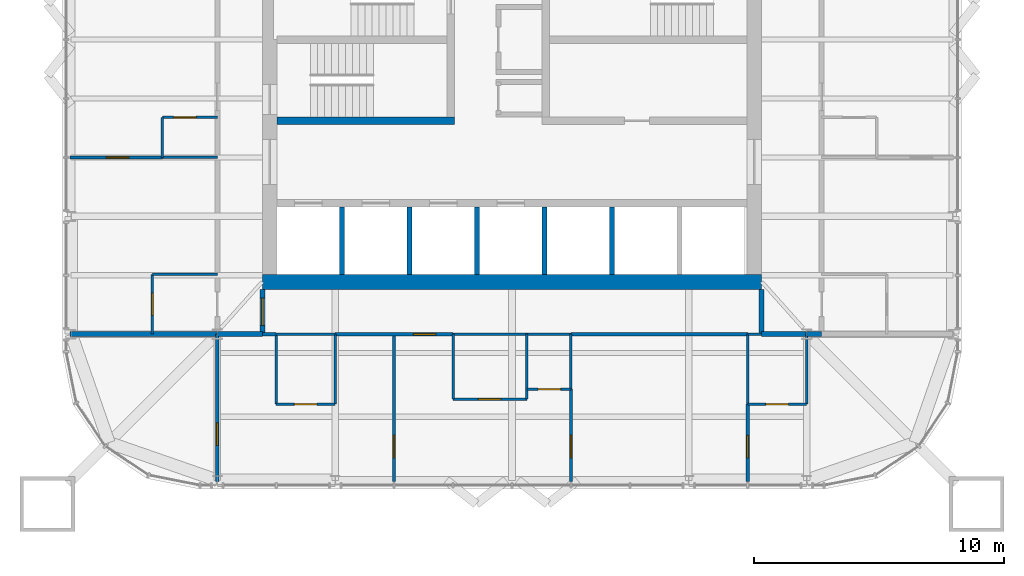
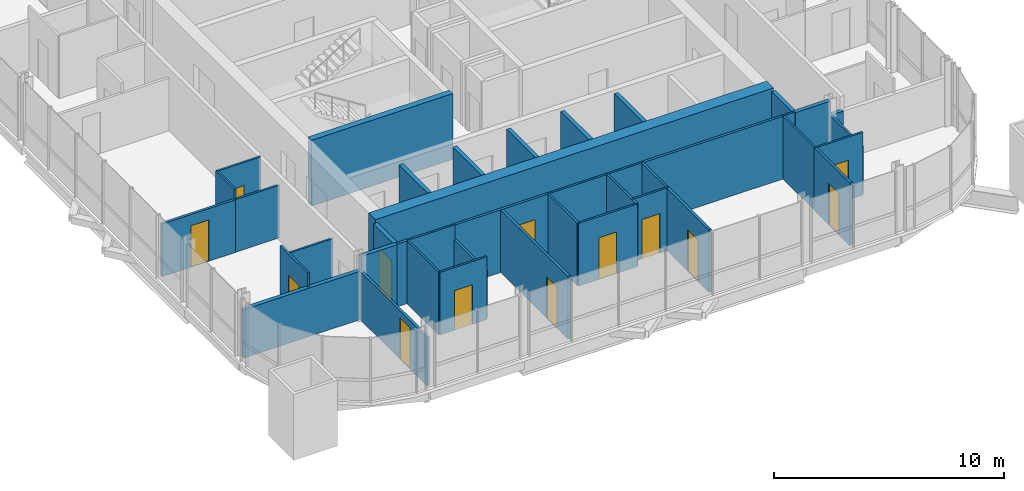
# One storey, part 13 of 17: 40 walls, 13 doors, 13 openings.
"""IFC4 building model written with IfcOpenShell, lengths in metres."""

import ifcopenshell
import ifcopenshell.guid

model = None  # the IFC model being written
_history = None  # IfcOwnerHistory: only IFC2X3 demands one
_inside = {}  # id of a spatial element -> (the spatial element, [elements in it])
_under = {}  # id of a project, library or spatial element -> (it, [spatial elements below it])
_declared = {}  # id of a project -> (the project, [libraries it declares])
_typed = {}  # id of a type object -> (the type object, [elements of that type])
_made_of = {}  # id of a material, layer set ... -> (it, [elements and type objects made of it])


def new_model(schema):
    """Start an empty IFC model of exactly this schema.

    Asked for "IFC4X3", IfcOpenShell would pick the latest addendum, in which some entities
    have other attributes; the version numbers below select the first issue.
    IFC2X3 requires an IfcOwnerHistory on every rooted entity: one is made here for all.
    """
    global model, _history
    if schema == "IFC4X3":
        model = ifcopenshell.file(schema_version=(4, 3, 0, 0))
    else:
        model = ifcopenshell.file(schema=schema)
    _inside.clear()
    _under.clear()
    _declared.clear()
    _typed.clear()
    _made_of.clear()
    _history = None
    if model.schema == "IFC2X3":
        org = make("IfcOrganization", Name="unknown")
        user = make(
            "IfcPersonAndOrganization",
            ThePerson=make("IfcPerson", FamilyName="unknown"),
            TheOrganization=org,
        )
        app = make(
            "IfcApplication",
            ApplicationDeveloper=org,
            Version="unknown",
            ApplicationFullName="unknown",
            ApplicationIdentifier="unknown",
        )
        _history = make(
            "IfcOwnerHistory",
            OwningUser=user,
            OwningApplication=app,
            ChangeAction="ADDED",
            CreationDate=0,
        )
    return model


def make(cls, **values):
    """One entity of the class cls with the attributes given. An attribute that is None is left unset."""
    return model.create_entity(
        cls, **{name: value for name, value in values.items() if value is not None}
    )


def rooted(cls, **values):
    """An entity with a GlobalId (a new one), such as an element, a storey or a relation."""
    return make(cls, GlobalId=ifcopenshell.guid.new(), OwnerHistory=_history, **values)


def si_unit(unit_type, name, prefix=None):
    """IfcSIUnit, for example si_unit("LENGTHUNIT", "METRE", prefix="MILLI")."""
    return make("IfcSIUnit", UnitType=unit_type, Prefix=prefix, Name=name)


def assignment(units):
    """IfcUnitAssignment: the units of a project."""
    return None if units is None else make("IfcUnitAssignment", Units=units)


def point(xyz):
    """IfcCartesianPoint."""
    return None if xyz is None else make("IfcCartesianPoint", Coordinates=xyz)


def direction(xyz):
    """IfcDirection."""
    return None if xyz is None else make("IfcDirection", DirectionRatios=xyz)


def frame(location, z_axis=None, x_axis=None):
    """IfcAxis2Placement3D, a coordinate frame: its origin and axes. An axis left out is left unset."""
    return make(
        "IfcAxis2Placement3D",
        Location=point(location),
        Axis=direction(z_axis),
        RefDirection=direction(x_axis),
    )


def frame_2d(location, x_axis=None):
    """IfcAxis2Placement2D, a coordinate frame in the plane: its origin and x axis."""
    return make(
        "IfcAxis2Placement2D", Location=point(location), RefDirection=direction(x_axis)
    )


def origin():
    """The frame at (0, 0, 0) with its axes left unset."""
    return frame((0.0, 0.0, 0.0))


def place(relative_to, where):
    """IfcLocalPlacement: puts the frame where relative to a parent placement (None: the world)."""
    return make(
        "IfcLocalPlacement", PlacementRelTo=relative_to, RelativePlacement=where
    )


def context(
    kind, dimensions, precision=None, world=None, true_north=None, identifier=None
):
    """IfcGeometricRepresentationContext, for example the 3D "Model" context."""
    return make(
        "IfcGeometricRepresentationContext",
        ContextIdentifier=identifier,
        ContextType=kind,
        CoordinateSpaceDimension=dimensions,
        Precision=precision,
        WorldCoordinateSystem=world,
        TrueNorth=true_north,
    )


def subcontext(parent, identifier, kind, view, scale=None):
    """IfcGeometricRepresentationSubContext, for example "Body" below "Model"."""
    return make(
        "IfcGeometricRepresentationSubContext",
        ContextIdentifier=identifier,
        ContextType=kind,
        ParentContext=parent,
        TargetScale=scale,
        TargetView=view,
    )


def project(units=None, contexts=None):
    """IfcProject with its units and contexts."""
    return rooted(
        "IfcProject",
        Name="project",
        RepresentationContexts=contexts,
        UnitsInContext=assignment(units),
    )


def spatial(cls, under=None, at=None, **own):
    """A site, building, storey or space (cls), placed at a placement, below another one or the project."""
    s = rooted(cls, ObjectPlacement=at, **own)
    if under is not None:
        _under.setdefault(under.id(), (under, []))[1].append(s)
    return s


def profile(cls, at=None, kind="AREA", **sizes):
    """A parametric profile (cls). Its sizes go by their IFC names, for example OverallWidth=200.0."""
    return make(cls, ProfileType=kind, Position=at, **sizes)


def rectangle(**sizes):
    """IfcRectangleProfileDef."""
    return profile("IfcRectangleProfileDef", **sizes)


def extrude(swept, where, along, depth):
    """IfcExtrudedAreaSolid: the profile swept, set in the frame where, extruded along a direction by depth."""
    return make(
        "IfcExtrudedAreaSolid",
        SweptArea=swept,
        Position=where,
        ExtrudedDirection=direction(along),
        Depth=depth,
    )


def shape(context_of_items, identifier, shape_type, items):
    """IfcShapeRepresentation: the items that make up one representation, for example the "Body"."""
    return make(
        "IfcShapeRepresentation",
        ContextOfItems=context_of_items,
        RepresentationIdentifier=identifier,
        RepresentationType=shape_type,
        Items=items,
    )


def material(Name=None, Category=None):
    """IfcMaterial."""
    return make("IfcMaterial", Name=Name, Category=Category)


def layer(
    of_material, thickness, ventilated=None, Name=None, Category=None, Priority=None
):
    """IfcMaterialLayer: one layer of a wall or slab, of a material (None: an air gap)."""
    return make(
        "IfcMaterialLayer",
        Material=of_material,
        LayerThickness=thickness,
        IsVentilated=ventilated,
        Name=Name,
        Category=Category,
        Priority=Priority,
    )


def layer_set(layers, Name=None):
    """IfcMaterialLayerSet."""
    return make("IfcMaterialLayerSet", MaterialLayers=layers, LayerSetName=Name)


def made_of(thing, what):
    """Note that an element or type object is made of a material, layer set ...; save() writes the relation."""
    if what is not None:
        _made_of.setdefault(what.id(), (what, []))[1].append(thing)
    return thing


def type_object(cls, material=None, **own):
    """A type object (cls), such as IfcWallType, which elements share."""
    return made_of(rooted(cls, **own), material)


def element(
    cls,
    number,
    at=None,
    inside=None,
    cuts=None,
    type_object=None,
    material=None,
    context=None,
    identifier="Body",
    shape_type=None,
    held_by="IfcProductDefinitionShape",
    body=None,
    shapes=None,
    **own,
):
    """One element of the class cls, such as IfcWall. Its Tag is "e" and its number.

    at: its placement. inside: the storey or other place that contains it. cuts: it is an
    opening in that element (IfcRelVoidsElement). A single representation is given by context,
    identifier, shape_type and body (its items); several are given by shapes. held_by: the class
    of the entity that holds the representations. save() writes the other relations.
    """
    e = rooted(cls, Tag="e%d" % number, ObjectPlacement=at, **own)
    if body is not None:
        shapes = [shape(context, identifier, shape_type, body)]
    if shapes is not None:
        e.Representation = make(held_by, Representations=shapes)
    if inside is not None:
        _inside.setdefault(inside.id(), (inside, []))[1].append(e)
    if cuts is not None:
        rooted(
            "IfcRelVoidsElement", RelatingBuildingElement=cuts, RelatedOpeningElement=e
        )
    if type_object is not None:
        _typed.setdefault(type_object.id(), (type_object, []))[1].append(e)
    return made_of(e, material)


def fill(opening, filler):
    """IfcRelFillsElement: the door or window that sits in an opening."""
    return rooted(
        "IfcRelFillsElement",
        RelatingOpeningElement=opening,
        RelatedBuildingElement=filler,
    )


def aggregate(whole, parts):
    """IfcRelAggregates: a whole, such as a stair, and the parts it consists of."""
    return rooted("IfcRelAggregates", RelatingObject=whole, RelatedObjects=parts)


def save(model, path):
    """Write the relations noted so far, then the file.

    IfcRelAggregates (storeys below a building ...), IfcRelContainedInSpatialStructure (elements
    in a storey), IfcRelDefinesByType, IfcRelAssociatesMaterial and IfcRelDeclares: one each for
    every whole, place, type object, material and project.
    """
    for whole, parts in _under.values():
        aggregate(whole, parts)
    for where, things in _inside.values():
        rooted(
            "IfcRelContainedInSpatialStructure",
            RelatedElements=things,
            RelatingStructure=where,
        )
    for kind, things in _typed.values():
        rooted("IfcRelDefinesByType", RelatedObjects=things, RelatingType=kind)
    for what, things in _made_of.values():
        rooted("IfcRelAssociatesMaterial", RelatedObjects=things, RelatingMaterial=what)
    for by, libraries in _declared.values():
        rooted("IfcRelDeclares", RelatingContext=by, RelatedDefinitions=libraries)
    model.write(path)


model = new_model("IFC4")

# Units and contexts
model_context = context("Model", 3, precision=1e-05, world=origin(), true_north=direction((0.0, 1.0)))
body_context = subcontext(model_context, "Body", "Model", "MODEL_VIEW")
ifc_project = project(units=[si_unit("LENGTHUNIT", "METRE"), si_unit("AREAUNIT", "SQUARE_METRE"), si_unit("VOLUMEUNIT", "CUBIC_METRE"), si_unit("PLANEANGLEUNIT", "RADIAN"), si_unit("MASSUNIT", "GRAM", prefix="KILO")], contexts=[model_context])

# Site, building, storey
site_placement = place(None, origin())
site = spatial("IfcSite", under=ifc_project, at=site_placement, CompositionType="ELEMENT")
building_placement = place(site_placement, origin())
building = spatial("IfcBuilding", under=site, at=building_placement, Name="Turquesa Mirador Hotel Tower", CompositionType="ELEMENT")
storey_placement = place(building_placement, frame((0.0, 0.0, 247.699951171875)))
storey = spatial("IfcBuildingStorey", under=building, at=storey_placement, Name="L67", CompositionType="ELEMENT", Elevation=247.699951171875)

# Walls
ifc_material_1 = material(Name="Gypsum board on steel studs", Category="steel")
ifc_layer_1 = layer(ifc_material_1, 0.10009765625)
ifc_layer_set_1 = layer_set([ifc_layer_1], Name="BATHROOM WALL 100")
wall_type_1 = type_object("IfcWallType", Name="BATHROOM WALL 100", PredefinedType="PARTITIONING", material=ifc_layer_set_1)
wall_1_placement = place(storey_placement, frame((45.56005859375, 33.199951171875, 0.0), z_axis=(0.0, 0.0, 1.0), x_axis=(1.0, 0.0, 0.0)))
element("IfcWall", 1, at=wall_1_placement, inside=storey, type_object=wall_type_1, Name="Partition L67 001", PredefinedType="PARTITIONING", context=body_context, shape_type="SweptSolid", body=[
    extrude(rectangle(XDim=2.35986328125, YDim=0.10009765625, at=frame_2d((1.179931640625, 0.0))), origin(), (0.0, 0.0, 1.0), 3.330078125),
])
wall_2_placement = place(storey_placement, frame((52.639892578125, 33.199951171875, 0.0), z_axis=(0.0, 0.0, 1.0), x_axis=(1.0, 0.0, 0.0)))
element("IfcWall", 2, at=wall_2_placement, inside=storey, type_object=wall_type_1, Name="Partition L67 002", PredefinedType="PARTITIONING", context=body_context, shape_type="SweptSolid", body=[
    extrude(rectangle(XDim=4.72021484375, YDim=0.10009765625, at=frame_2d((2.360107421875, 0.0))), origin(), (0.0, 0.0, 1.0), 3.330078125),
])
wall_3_placement = place(storey_placement, frame((64.43994140625, 33.199951171875, 0.0), z_axis=(0.0, 0.0, 1.0), x_axis=(1.0, 0.0, 0.0)))
element("IfcWall", 3, at=wall_3_placement, inside=storey, type_object=wall_type_1, Name="Partition L67 003", PredefinedType="PARTITIONING", context=body_context, shape_type="SweptSolid", body=[
    extrude(rectangle(XDim=0.56005859375, YDim=0.10009765625, at=frame_2d((0.280029296875, 0.0))), origin(), (0.0, 0.0, 1.0), 3.330078125),
])

# Wall, opening, door
wall_4_placement = place(storey_placement, frame((55.60009765625, 31.0, 0.0), z_axis=(0.0, 0.0, 1.0), x_axis=(1.0, 0.0, 0.0)))
wall_4 = element("IfcWall", 4, at=wall_4_placement, inside=storey, type_object=wall_type_1, Name="Partition L67 011", PredefinedType="PARTITIONING", context=body_context, shape_type="SweptSolid", body=[
    extrude(rectangle(XDim=1.760009765625, YDim=0.10009765625, at=frame_2d((0.8798828125, 0.0))), origin(), (0.0, 0.0, 1.0), 3.330078125),
])
opening_1_placement = place(wall_4_placement, frame((0.449951171875, 0.0, 0.0)))
opening_1 = element("IfcOpeningElement", 5, at=opening_1_placement, cuts=wall_4, Name="Opening D06", PredefinedType="OPENING", context=body_context, shape_type="SweptSolid", body=[
    extrude(rectangle(XDim=0.89990234375, YDim=2.10009765625, at=frame_2d((0.449951171875, 1.050048828125))), frame((0.0, 0.06005859375, 0.0), z_axis=(0.0, -1.0, 0.0), x_axis=(1.0, 0.0, 0.0)), (0.0, 0.0, 1.0), 0.1201171875),
])
ifc_material_2 = material(Name="Laminate door", Category="wood")
door_type_1 = type_object("IfcDoorType", Name="DOOR 900X2100 WC", OperationType="SINGLE_SWING_LEFT", PredefinedType="DOOR", material=ifc_material_2)
door_1_placement = place(opening_1_placement, origin())
door_1 = element("IfcDoor", 6, at=door_1_placement, inside=storey, type_object=door_type_1, Name="Door 6702W", OperationType="SINGLE_SWING_LEFT", OverallHeight=2.10009765625, OverallWidth=0.89990234375, PredefinedType="DOOR", context=body_context, shape_type="SweptSolid", body=[
    extrude(rectangle(XDim=0.89990234375, YDim=2.10009765625, at=frame_2d((0.449951171875, 1.050048828125))), frame((0.0, 0.02490234375, 0.0), z_axis=(0.0, -1.0, 0.0), x_axis=(1.0, 0.0, 0.0)), (0.0, 0.0, 1.0), 0.050048828125),
])
fill(opening_1, door_1)

wall_5_placement = place(storey_placement, frame((52.639892578125, 30.60009765625, 0.0), z_axis=(0.0, 0.0, 1.0), x_axis=(1.0, 0.0, 0.0)))
wall_5 = element("IfcWall", 7, at=wall_5_placement, inside=storey, type_object=wall_type_1, Name="Partition L67 012", PredefinedType="PARTITIONING", context=body_context, shape_type="SweptSolid", body=[
    extrude(rectangle(XDim=2.960205078125, YDim=0.10009765625, at=frame_2d((1.47998046875, 0.0))), origin(), (0.0, 0.0, 1.0), 3.330078125),
])
opening_2_placement = place(wall_5_placement, frame((1.010009765625, 0.0, 0.0)))
opening_2 = element("IfcOpeningElement", 8, at=opening_2_placement, cuts=wall_5, Name="Opening D17", PredefinedType="OPENING", context=body_context, shape_type="SweptSolid", body=[
    extrude(rectangle(XDim=0.89990234375, YDim=2.199951171875, at=frame_2d((0.449951171875, 1.10009765625))), frame((0.0, 0.06005859375, 0.0), z_axis=(0.0, -1.0, 0.0), x_axis=(1.0, 0.0, 0.0)), (0.0, 0.0, 1.0), 0.1201171875),
])
ifc_material_3 = material(Name="Timber veneered door", Category="wood")
door_type_2 = type_object("IfcDoorType", Name="DOOR 900X2200 SUITE INTERNAL", OperationType="SINGLE_SWING_LEFT", PredefinedType="DOOR", material=ifc_material_3)
door_2_placement = place(opening_2_placement, origin())
door_2 = element("IfcDoor", 9, at=door_2_placement, inside=storey, type_object=door_type_2, Name="Door 6702K", OperationType="SINGLE_SWING_LEFT", OverallHeight=2.199951171875, OverallWidth=0.89990234375, PredefinedType="DOOR", context=body_context, shape_type="SweptSolid", body=[
    extrude(rectangle(XDim=0.89990234375, YDim=2.199951171875, at=frame_2d((0.449951171875, 1.10009765625))), frame((0.0, 0.02490234375, 0.0), z_axis=(0.0, -1.0, 0.0), x_axis=(1.0, 0.0, 0.0)), (0.0, 0.0, 1.0), 0.050048828125),
])
fill(opening_2, door_2)

wall_6_placement = place(storey_placement, frame((45.56005859375, 30.39990234375, 0.0), z_axis=(0.0, 0.0, 1.0), x_axis=(1.0, 0.0, 0.0)))
wall_6 = element("IfcWall", 10, at=wall_6_placement, inside=storey, type_object=wall_type_1, Name="Partition L67 013", PredefinedType="PARTITIONING", context=body_context, shape_type="SweptSolid", body=[
    extrude(rectangle(XDim=2.35986328125, YDim=0.10009765625, at=frame_2d((1.179931640625, 0.0))), origin(), (0.0, 0.0, 1.0), 3.330078125),
])
opening_3_placement = place(wall_6_placement, frame((0.72998046875, 0.0, 0.0)))
opening_3 = element("IfcOpeningElement", 11, at=opening_3_placement, cuts=wall_6, Name="Opening D02", PredefinedType="OPENING", context=body_context, shape_type="SweptSolid", body=[
    extrude(rectangle(XDim=0.89990234375, YDim=2.10009765625, at=frame_2d((0.449951171875, 1.050048828125))), frame((0.0, 0.06005859375, 0.0), z_axis=(0.0, -1.0, 0.0), x_axis=(1.0, 0.0, 0.0)), (0.0, 0.0, 1.0), 0.1201171875),
])
ifc_material_4 = material(Name="Timber veneered door", Category="wood")
door_type_3 = type_object("IfcDoorType", Name="DOOR 900X2100 EN-SUITE", OperationType="SINGLE_SWING_RIGHT", PredefinedType="DOOR", material=ifc_material_4)
door_3_placement = place(opening_3_placement, origin())
door_3 = element("IfcDoor", 12, at=door_3_placement, inside=storey, type_object=door_type_3, Name="Door 6702B", OperationType="SINGLE_SWING_RIGHT", OverallHeight=2.10009765625, OverallWidth=0.89990234375, PredefinedType="DOOR", context=body_context, shape_type="SweptSolid", body=[
    extrude(rectangle(XDim=0.89990234375, YDim=2.10009765625, at=frame_2d((0.449951171875, 1.050048828125))), frame((0.0, 0.02490234375, 0.0), z_axis=(0.0, -1.0, 0.0), x_axis=(1.0, 0.0, 0.0)), (0.0, 0.0, 1.0), 0.050048828125),
])
fill(opening_3, door_3)

wall_7_placement = place(storey_placement, frame((64.43994140625, 30.39990234375, 0.0), z_axis=(0.0, 0.0, 1.0), x_axis=(1.0, 0.0, 0.0)))
wall_7 = element("IfcWall", 13, at=wall_7_placement, inside=storey, type_object=wall_type_1, Name="Partition L67 014", PredefinedType="PARTITIONING", context=body_context, shape_type="SweptSolid", body=[
    extrude(rectangle(XDim=2.360107421875, YDim=0.10009765625, at=frame_2d((1.18017578125, 0.0))), origin(), (0.0, 0.0, 1.0), 3.330078125),
])
opening_4_placement = place(wall_7_placement, frame((0.72998046875, 0.0, 0.0)))
opening_4 = element("IfcOpeningElement", 14, at=opening_4_placement, cuts=wall_7, Name="Opening D02", PredefinedType="OPENING", context=body_context, shape_type="SweptSolid", body=[
    extrude(rectangle(XDim=0.89990234375, YDim=2.10009765625, at=frame_2d((0.449951171875, 1.050048828125))), frame((0.0, 0.06005859375, 0.0), z_axis=(0.0, -1.0, 0.0), x_axis=(1.0, 0.0, 0.0)), (0.0, 0.0, 1.0), 0.1201171875),
])
door_4_placement = place(opening_4_placement, origin())
door_4 = element("IfcDoor", 15, at=door_4_placement, inside=storey, type_object=door_type_3, Name="Door 6702E", OperationType="SINGLE_SWING_RIGHT", OverallHeight=2.10009765625, OverallWidth=0.89990234375, PredefinedType="DOOR", context=body_context, shape_type="SweptSolid", body=[
    extrude(rectangle(XDim=0.89990234375, YDim=2.10009765625, at=frame_2d((0.449951171875, 1.050048828125))), frame((0.0, 0.02490234375, 0.0), z_axis=(0.0, -1.0, 0.0), x_axis=(1.0, 0.0, 0.0)), (0.0, 0.0, 1.0), 0.050048828125),
])
fill(opening_4, door_4)

wall_8_placement = place(storey_placement, frame((41.0, 41.8798828125, 0.0), z_axis=(0.0, 0.0, 1.0), x_axis=(1.0, 0.0, 0.0)))
wall_8 = element("IfcWall", 16, at=wall_8_placement, inside=storey, type_object=wall_type_1, Name="Partition L67 015", PredefinedType="PARTITIONING", context=body_context, shape_type="SweptSolid", body=[
    extrude(rectangle(XDim=2.199951171875, YDim=0.10009765625, at=frame_2d((1.10009765625, 0.0))), origin(), (0.0, 0.0, 1.0), 3.330078125),
])
opening_5_placement = place(wall_8_placement, frame((0.449951171875, 0.0, 0.0)))
opening_5 = element("IfcOpeningElement", 17, at=opening_5_placement, cuts=wall_8, Name="Opening D06", PredefinedType="OPENING", context=body_context, shape_type="SweptSolid", body=[
    extrude(rectangle(XDim=0.89990234375, YDim=2.10009765625, at=frame_2d((0.449951171875, 1.050048828125))), frame((0.0, 0.06005859375, 0.0), z_axis=(0.0, -1.0, 0.0), x_axis=(1.0, 0.0, 0.0)), (0.0, 0.0, 1.0), 0.1201171875),
])
door_5_placement = place(opening_5_placement, origin())
door_5 = element("IfcDoor", 18, at=door_5_placement, inside=storey, type_object=door_type_1, Name="Door 6704W", OperationType="SINGLE_SWING_LEFT", OverallHeight=2.10009765625, OverallWidth=0.89990234375, PredefinedType="DOOR", context=body_context, shape_type="SweptSolid", body=[
    extrude(rectangle(XDim=0.89990234375, YDim=2.10009765625, at=frame_2d((0.449951171875, 1.050048828125))), frame((0.0, 0.02490234375, 0.0), z_axis=(0.0, -1.0, 0.0), x_axis=(1.0, 0.0, 0.0)), (0.0, 0.0, 1.0), 0.050048828125),
])
fill(opening_5, door_5)

# Walls
wall_9_placement = place(storey_placement, frame((41.0, 40.280029296875, 0.0), z_axis=(0.0, 0.0, 1.0), x_axis=(1.0, 0.0, 0.0)))
element("IfcWall", 19, at=wall_9_placement, inside=storey, type_object=wall_type_1, Name="Partition L67 017", PredefinedType="PARTITIONING", context=body_context, shape_type="SweptSolid", body=[
    extrude(rectangle(XDim=2.199951171875, YDim=0.10009765625, at=frame_2d((1.10009765625, 0.0))), origin(), (0.0, 0.0, 1.0), 2.796630859375),
])
wall_10_placement = place(storey_placement, frame((40.60009765625, 35.60009765625, 0.0), z_axis=(0.0, 0.0, 1.0), x_axis=(1.0, 0.0, 0.0)))
element("IfcWall", 20, at=wall_10_placement, inside=storey, type_object=wall_type_1, Name="Partition L67 021", PredefinedType="PARTITIONING", context=body_context, shape_type="SweptSolid", body=[
    extrude(rectangle(XDim=2.599853515625, YDim=0.10009765625, at=frame_2d((1.2998046875, 0.0))), origin(), (0.0, 0.0, 1.0), 2.796630859375),
])
wall_11_placement = place(storey_placement, frame((41.0, 40.280029296875, 0.0), z_axis=(0.0, 0.0, 1.0), x_axis=(0.0, 1.0, 0.0)))
element("IfcWall", 21, at=wall_11_placement, inside=storey, type_object=wall_type_1, Name="Partition L67 048", PredefinedType="PARTITIONING", context=body_context, shape_type="SweptSolid", body=[
    extrude(rectangle(XDim=1.599853515625, YDim=0.10009765625, at=frame_2d((0.7998046875, 0.0))), origin(), (0.0, 0.0, 1.0), 3.330078125),
])

# Wall, opening, door
wall_12_placement = place(storey_placement, frame((40.60009765625, 33.199951171875, 0.0), z_axis=(0.0, 0.0, 1.0), x_axis=(0.0, 1.0, 0.0)))
wall_12 = element("IfcWall", 22, at=wall_12_placement, inside=storey, type_object=wall_type_1, Name="Partition L67 050", PredefinedType="PARTITIONING", context=body_context, shape_type="SweptSolid", body=[
    extrude(rectangle(XDim=2.400146484375, YDim=0.10009765625, at=frame_2d((1.2001953125, 0.0))), origin(), (0.0, 0.0, 1.0), 3.330078125),
])
opening_6_placement = place(wall_12_placement, frame((0.75, 0.0, 0.0)))
opening_6 = element("IfcOpeningElement", 23, at=opening_6_placement, cuts=wall_12, Name="Opening D17", PredefinedType="OPENING", context=body_context, shape_type="SweptSolid", body=[
    extrude(rectangle(XDim=0.89990234375, YDim=2.199951171875, at=frame_2d((0.449951171875, 1.10009765625))), frame((0.0, 0.06005859375, 0.0), z_axis=(0.0, -1.0, 0.0), x_axis=(1.0, 0.0, 0.0)), (0.0, 0.0, 1.0), 0.1201171875),
])
door_6_placement = place(opening_6_placement, origin())
door_6 = element("IfcDoor", 24, at=door_6_placement, inside=storey, type_object=door_type_2, Name="Door 6704P", OperationType="SINGLE_SWING_LEFT", OverallHeight=2.199951171875, OverallWidth=0.89990234375, PredefinedType="DOOR", context=body_context, shape_type="SweptSolid", body=[
    extrude(rectangle(XDim=0.89990234375, YDim=2.199951171875, at=frame_2d((0.449951171875, 1.10009765625))), frame((0.0, 0.02490234375, 0.0), z_axis=(0.0, -1.0, 0.0), x_axis=(1.0, 0.0, 0.0)), (0.0, 0.0, 1.0), 0.050048828125),
])
fill(opening_6, door_6)

# Walls
wall_13_placement = place(storey_placement, frame((52.639892578125, 30.60009765625, 0.0), z_axis=(0.0, 0.0, 1.0), x_axis=(0.0, 1.0, 0.0)))
element("IfcWall", 25, at=wall_13_placement, inside=storey, type_object=wall_type_1, Name="Partition L67 052", PredefinedType="PARTITIONING", context=body_context, shape_type="SweptSolid", body=[
    extrude(rectangle(XDim=2.599853515625, YDim=0.10009765625, at=frame_2d((1.2998046875, 0.0))), origin(), (0.0, 0.0, 1.0), 3.330078125),
])
wall_14_placement = place(storey_placement, frame((47.919921875, 30.39990234375, 0.0), z_axis=(0.0, 0.0, 1.0), x_axis=(0.0, 1.0, 0.0)))
element("IfcWall", 26, at=wall_14_placement, inside=storey, type_object=wall_type_1, Name="Partition L67 056", PredefinedType="PARTITIONING", context=body_context, shape_type="SweptSolid", body=[
    extrude(rectangle(XDim=2.800048828125, YDim=0.10009765625, at=frame_2d((1.39990234375, 0.0))), origin(), (0.0, 0.0, 1.0), 2.5732421875),
])
wall_15_placement = place(storey_placement, frame((45.56005859375, 30.39990234375, 0.0), z_axis=(0.0, 0.0, 1.0), x_axis=(0.0, 1.0, 0.0)))
element("IfcWall", 27, at=wall_15_placement, inside=storey, type_object=wall_type_1, Name="Partition L67 058", PredefinedType="PARTITIONING", context=body_context, shape_type="SweptSolid", body=[
    extrude(rectangle(XDim=2.800048828125, YDim=0.10009765625, at=frame_2d((1.39990234375, 0.0))), origin(), (0.0, 0.0, 1.0), 3.330078125),
])
wall_16_placement = place(storey_placement, frame((55.60009765625, 30.60009765625, 0.0), z_axis=(0.0, 0.0, 1.0), x_axis=(0.0, 1.0, 0.0)))
element("IfcWall", 28, at=wall_16_placement, inside=storey, type_object=wall_type_1, Name="Partition L67 060", PredefinedType="PARTITIONING", context=body_context, shape_type="SweptSolid", body=[
    extrude(rectangle(XDim=2.599853515625, YDim=0.10009765625, at=frame_2d((1.2998046875, 0.0))), origin(), (0.0, 0.0, 1.0), 3.330078125),
])
wall_17_placement = place(storey_placement, frame((66.800048828125, 30.39990234375, 0.0), z_axis=(0.0, 0.0, 1.0), x_axis=(0.0, 1.0, 0.0)))
element("IfcWall", 29, at=wall_17_placement, inside=storey, type_object=wall_type_1, Name="Partition L67 064", PredefinedType="PARTITIONING", context=body_context, shape_type="SweptSolid", body=[
    extrude(rectangle(XDim=2.800048828125, YDim=0.10009765625, at=frame_2d((1.39990234375, 0.0))), origin(), (0.0, 0.0, 1.0), 2.5732421875),
])
wall_18_placement = place(storey_placement, frame((57.360107421875, 31.0, 0.0), z_axis=(0.0, 0.0, 1.0), x_axis=(0.0, 1.0, 0.0)))
element("IfcWall", 30, at=wall_18_placement, inside=storey, type_object=wall_type_1, Name="Partition L67 071", PredefinedType="PARTITIONING", context=body_context, shape_type="SweptSolid", body=[
    extrude(rectangle(XDim=2.199951171875, YDim=0.10009765625, at=frame_2d((1.10009765625, 0.0))), origin(), (0.0, 0.0, 1.0), 3.330078125),
])
wall_19_placement = place(storey_placement, frame((64.43994140625, 30.39990234375, 0.0), z_axis=(0.0, 0.0, 1.0), x_axis=(0.0, 1.0, 0.0)))
element("IfcWall", 31, at=wall_19_placement, inside=storey, type_object=wall_type_1, Name="Partition L67 075", PredefinedType="PARTITIONING", context=body_context, shape_type="SweptSolid", body=[
    extrude(rectangle(XDim=2.800048828125, YDim=0.10009765625, at=frame_2d((1.39990234375, 0.0))), origin(), (0.0, 0.0, 1.0), 3.330078125),
])
ifc_material_5 = material(Name="Concrete C50/60", Category="concrete")
ifc_layer_2 = layer(ifc_material_5, 0.300048828125)
ifc_layer_set_2 = layer_set([ifc_layer_2], Name="CORE INNER WALL 300")
wall_type_2 = type_object("IfcWallType", Name="CORE INNER WALL 300", PredefinedType="SHEAR", material=ifc_layer_set_2)
wall_20_placement = place(storey_placement, frame((45.60009765625, 41.75, 0.0), z_axis=(0.0, 0.0, 1.0), x_axis=(1.0, 0.0, 0.0)))
element("IfcWall", 32, at=wall_20_placement, inside=storey, type_object=wall_type_2, Name="Core wall MS-W", PredefinedType="SHEAR", context=body_context, shape_type="SweptSolid", body=[
    extrude(rectangle(XDim=7.099853515625, YDim=0.300048828125, at=frame_2d((3.5498046875, 0.0))), origin(), (0.0, 0.0, 1.0), 3.5),
])
ifc_material_6 = material(Name="Concrete C50/60", Category="concrete")
ifc_layer_3 = layer(ifc_material_6, 0.60009765625)
ifc_layer_set_3 = layer_set([ifc_layer_3], Name="CORE WALL 600")
wall_type_3 = type_object("IfcWallType", Name="CORE WALL 600", PredefinedType="SHEAR", material=ifc_layer_set_3)
wall_21_placement = place(storey_placement, frame((45.0, 35.300048828125, 0.0), z_axis=(0.0, 0.0, 1.0), x_axis=(1.0, 0.0, 0.0)))
element("IfcWall", 33, at=wall_21_placement, inside=storey, type_object=wall_type_3, Name="Core wall S", PredefinedType="SHEAR", context=body_context, shape_type="SweptSolid", body=[
    extrude(rectangle(XDim=20.0, YDim=0.60009765625, at=frame_2d((10.0, 0.0))), origin(), (0.0, 0.0, 1.0), 3.5),
])
ifc_material_7 = material(Name="Fire-rated gypsum board on steel studs", Category="steel")
ifc_layer_4 = layer(ifc_material_7, 0.199951171875)
ifc_layer_set_4 = layer_set([ifc_layer_4], Name="CORRIDOR WALL 200")
wall_type_4 = type_object("IfcWallType", Name="CORRIDOR WALL 200", PredefinedType="PARTITIONING", material=ifc_layer_set_4)
wall_22_placement = place(storey_placement, frame((43.199951171875, 33.199951171875, 0.0), z_axis=(0.0, 0.0, 1.0), x_axis=(1.0, 0.0, 0.0)))
element("IfcWall", 34, at=wall_22_placement, inside=storey, type_object=wall_type_4, Name="Partition L67 004", PredefinedType="PARTITIONING", context=body_context, shape_type="SweptSolid", body=[
    extrude(rectangle(XDim=1.800048828125, YDim=0.199951171875, at=frame_2d((0.89990234375, 0.0))), origin(), (0.0, 0.0, 1.0), 3.330078125),
])
wall_23_placement = place(storey_placement, frame((65.0, 33.199951171875, 0.0), z_axis=(0.0, 0.0, 1.0), x_axis=(1.0, 0.0, 0.0)))
element("IfcWall", 35, at=wall_23_placement, inside=storey, type_object=wall_type_4, Name="Partition L67 005", PredefinedType="PARTITIONING", context=body_context, shape_type="SweptSolid", body=[
    extrude(rectangle(XDim=1.780029296875, YDim=0.199951171875, at=frame_2d((0.89013671875, 0.0))), origin(), (0.0, 0.0, 1.0), 3.330078125),
])

# Wall, opening, door
wall_24_placement = place(storey_placement, frame((45.0, 33.199951171875, 0.0), z_axis=(0.0, 0.0, 1.0), x_axis=(0.0, 1.0, 0.0)))
wall_24 = element("IfcWall", 36, at=wall_24_placement, inside=storey, type_object=wall_type_4, Name="Partition L67 043", PredefinedType="PARTITIONING", context=body_context, shape_type="SweptSolid", body=[
    extrude(rectangle(XDim=1.800048828125, YDim=0.199951171875, at=frame_2d((0.89990234375, 0.0))), origin(), (0.0, 0.0, 1.0), 3.330078125),
])
opening_7_placement = place(wall_24_placement, frame((0.35009765625, 0.0, 0.0)))
opening_7 = element("IfcOpeningElement", 37, at=opening_7_placement, cuts=wall_24, Name="Opening D15", PredefinedType="OPENING", context=body_context, shape_type="SweptSolid", body=[
    extrude(rectangle(XDim=1.10009765625, YDim=2.199951171875, at=frame_2d((0.550048828125, 1.10009765625))), frame((0.0, 0.10986328125, 0.0), z_axis=(0.0, -1.0, 0.0), x_axis=(1.0, 0.0, 0.0)), (0.0, 0.0, 1.0), 0.219970703125),
])
ifc_material_8 = material(Name="Timber veneered fire door", Category="wood")
door_type_4 = type_object("IfcDoorType", Name="DOOR 1100X2200 SUITE ENTRY", OperationType="SINGLE_SWING_LEFT", PredefinedType="DOOR", material=ifc_material_8)
door_7_placement = place(opening_7_placement, origin())
door_7 = element("IfcDoor", 38, at=door_7_placement, inside=storey, type_object=door_type_4, Name="Door 6702G", OperationType="SINGLE_SWING_LEFT", OverallHeight=2.199951171875, OverallWidth=1.10009765625, PredefinedType="DOOR", context=body_context, shape_type="SweptSolid", body=[
    extrude(rectangle(XDim=1.10009765625, YDim=2.199951171875, at=frame_2d((0.550048828125, 1.10009765625))), frame((0.0, 0.02490234375, 0.0), z_axis=(0.0, -1.0, 0.0), x_axis=(1.0, 0.0, 0.0)), (0.0, 0.0, 1.0), 0.050048828125),
])
fill(opening_7, door_7)

# Walls
wall_25_placement = place(storey_placement, frame((65.0, 33.199951171875, 0.0), z_axis=(0.0, 0.0, 1.0), x_axis=(0.0, 1.0, 0.0)))
element("IfcWall", 39, at=wall_25_placement, inside=storey, type_object=wall_type_4, Name="Partition L67 062", PredefinedType="PARTITIONING", context=body_context, shape_type="SweptSolid", body=[
    extrude(rectangle(XDim=1.800048828125, YDim=0.199951171875, at=frame_2d((0.89990234375, 0.0))), origin(), (0.0, 0.0, 1.0), 3.330078125),
])
wall_26_placement = place(storey_placement, frame((66.780029296875, 33.199951171875, 0.0), z_axis=(0.0, 0.0, 1.0), x_axis=(1.0, 0.0, 0.0)))
element("IfcWall", 40, at=wall_26_placement, inside=storey, type_object=wall_type_4, Name="Partition L67 079", PredefinedType="PARTITIONING", context=body_context, shape_type="SweptSolid", body=[
    extrude(rectangle(XDim=0.619873046875, YDim=0.199951171875, at=frame_2d((0.31005859375, 0.0))), origin(), (0.0, 0.0, 1.0), 2.5732421875),
])
ifc_material_9 = material(Name="Fire-rated gypsum shaft wall on steel studs", Category="steel")
ifc_layer_5 = layer(ifc_material_9, 0.199951171875)
ifc_layer_set_5 = layer_set([ifc_layer_5], Name="LIFT SHAFT DIVIDER 200")
wall_type_5 = type_object("IfcWallType", Name="LIFT SHAFT DIVIDER 200", PredefinedType="PARTITIONING", material=ifc_layer_set_5)
for number, where, z_axis, x_axis, name in (
    (41, (48.199951171875, 35.60009765625, 0.0), (0.0, 0.0, 1.0), (0.0, 1.0, 0.0), "Lift shaft divider"),
    (42, (50.89990234375, 35.60009765625, 0.0), (0.0, 0.0, 1.0), (0.0, 1.0, 0.0), "Lift shaft divider"),
    (43, (53.60009765625, 35.60009765625, 0.0), (0.0, 0.0, 1.0), (0.0, 1.0, 0.0), "Lift shaft divider"),
    (44, (56.300048828125, 35.60009765625, 0.0), (0.0, 0.0, 1.0), (0.0, 1.0, 0.0), "Lift shaft divider"),
    (45, (59.0, 35.60009765625, 0.0), (0.0, 0.0, 1.0), (0.0, 1.0, 0.0), "Lift shaft divider"),
):
    element("IfcWall", number, at=place(storey_placement, frame(where, z_axis=z_axis, x_axis=x_axis)), inside=storey, type_object=wall_type_5, Name=name, PredefinedType="PARTITIONING", context=body_context, shape_type="SweptSolid", body=[
        extrude(rectangle(XDim=2.699951171875, YDim=0.199951171875, at=frame_2d((1.35009765625, 0.0))), origin(), (0.0, 0.0, 1.0), 3.330078125),
    ])
ifc_material_10 = material(Name="Fire-rated gypsum board on steel studs", Category="steel")
ifc_layer_6 = layer(ifc_material_10, 0.199951171875)
ifc_layer_set_6 = layer_set([ifc_layer_6], Name="PARTY WALL 200")
wall_type_6 = type_object("IfcWallType", Name="PARTY WALL 200", PredefinedType="PARTITIONING", material=ifc_layer_set_6)
wall_27_placement = place(storey_placement, frame((37.300048828125, 33.199951171875, 0.0), z_axis=(0.0, 0.0, 1.0), x_axis=(1.0, 0.0, 0.0)))
element("IfcWall", 46, at=wall_27_placement, inside=storey, type_object=wall_type_6, Name="Partition L67 006", PredefinedType="PARTITIONING", context=body_context, shape_type="SweptSolid", body=[
    extrude(rectangle(XDim=5.89990234375, YDim=0.199951171875, at=frame_2d((2.949951171875, 0.0))), origin(), (0.0, 0.0, 1.0), 2.5732421875),
])
ifc_material_11 = material(Name="Acoustic gypsum board on steel studs", Category="steel")
ifc_layer_7 = layer(ifc_material_11, 0.125)
ifc_layer_set_7 = layer_set([ifc_layer_7], Name="SUITE PARTITION 125")
wall_type_7 = type_object("IfcWallType", Name="SUITE PARTITION 125", PredefinedType="PARTITIONING", material=ifc_layer_set_7)
wall_28_placement = place(storey_placement, frame((45.0, 33.199951171875, 0.0), z_axis=(0.0, 0.0, 1.0), x_axis=(1.0, 0.0, 0.0)))
element("IfcWall", 47, at=wall_28_placement, inside=storey, type_object=wall_type_7, Name="Partition L67 008", PredefinedType="PARTITIONING", context=body_context, shape_type="SweptSolid", body=[
    extrude(rectangle(XDim=0.56005859375, YDim=0.125, at=frame_2d((0.280029296875, 0.0))), origin(), (0.0, 0.0, 1.0), 3.330078125),
])

# Wall, opening, door
wall_29_placement = place(storey_placement, frame((47.919921875, 33.199951171875, 0.0), z_axis=(0.0, 0.0, 1.0), x_axis=(1.0, 0.0, 0.0)))
wall_29 = element("IfcWall", 48, at=wall_29_placement, inside=storey, type_object=wall_type_7, Name="Partition L67 009", PredefinedType="PARTITIONING", context=body_context, shape_type="SweptSolid", body=[
    extrude(rectangle(XDim=4.719970703125, YDim=0.125, at=frame_2d((2.35986328125, 0.0))), origin(), (0.0, 0.0, 1.0), 3.330078125),
])
opening_8_placement = place(wall_29_placement, frame((3.1298828125, 0.0, 0.0)))
opening_8 = element("IfcOpeningElement", 49, at=opening_8_placement, cuts=wall_29, Name="Opening D17", PredefinedType="OPENING", context=body_context, shape_type="SweptSolid", body=[
    extrude(rectangle(XDim=0.89990234375, YDim=2.199951171875, at=frame_2d((0.449951171875, 1.10009765625))), frame((0.0, 0.072509765625, 0.0), z_axis=(0.0, -1.0, 0.0), x_axis=(1.0, 0.0, 0.0)), (0.0, 0.0, 1.0), 0.14501953125),
])
door_8_placement = place(opening_8_placement, origin())
door_8 = element("IfcDoor", 50, at=door_8_placement, inside=storey, type_object=door_type_2, Name="Door 6702", OperationType="SINGLE_SWING_LEFT", OverallHeight=2.199951171875, OverallWidth=0.89990234375, PredefinedType="DOOR", context=body_context, shape_type="SweptSolid", body=[
    extrude(rectangle(XDim=0.89990234375, YDim=2.199951171875, at=frame_2d((0.449951171875, 1.10009765625))), frame((0.0, 0.02490234375, 0.0), z_axis=(0.0, -1.0, 0.0), x_axis=(1.0, 0.0, 0.0)), (0.0, 0.0, 1.0), 0.050048828125),
])
fill(opening_8, door_8)

# Wall
wall_30_placement = place(storey_placement, frame((57.360107421875, 33.199951171875, 0.0), z_axis=(0.0, 0.0, 1.0), x_axis=(1.0, 0.0, 0.0)))
element("IfcWall", 51, at=wall_30_placement, inside=storey, type_object=wall_type_7, Name="Partition L67 010", PredefinedType="PARTITIONING", context=body_context, shape_type="SweptSolid", body=[
    extrude(rectangle(XDim=7.079833984375, YDim=0.125, at=frame_2d((3.5400390625, 0.0))), origin(), (0.0, 0.0, 1.0), 3.330078125),
])

# Wall, opening, door
wall_31_placement = place(storey_placement, frame((37.300048828125, 40.280029296875, 0.0), z_axis=(0.0, 0.0, 1.0), x_axis=(1.0, 0.0, 0.0)))
wall_31 = element("IfcWall", 52, at=wall_31_placement, inside=storey, type_object=wall_type_7, Name="Partition L67 019", PredefinedType="PARTITIONING", context=body_context, shape_type="SweptSolid", body=[
    extrude(rectangle(XDim=3.699951171875, YDim=0.125, at=frame_2d((1.85009765625, 0.0))), origin(), (0.0, 0.0, 1.0), 2.796630859375),
])
opening_9_placement = place(wall_31_placement, frame((1.449951171875, 0.0, 0.0)))
opening_9 = element("IfcOpeningElement", 53, at=opening_9_placement, cuts=wall_31, Name="Opening D17", PredefinedType="OPENING", context=body_context, shape_type="SweptSolid", body=[
    extrude(rectangle(XDim=0.89990234375, YDim=2.199951171875, at=frame_2d((0.449951171875, 1.10009765625))), frame((0.0, 0.072509765625, 0.0), z_axis=(0.0, -1.0, 0.0), x_axis=(1.0, 0.0, 0.0)), (0.0, 0.0, 1.0), 0.14501953125),
])
door_9_placement = place(opening_9_placement, origin())
door_9 = element("IfcDoor", 54, at=door_9_placement, inside=storey, type_object=door_type_2, Name="Door 6704M", OperationType="SINGLE_SWING_LEFT", OverallHeight=2.199951171875, OverallWidth=0.89990234375, PredefinedType="DOOR", context=body_context, shape_type="SweptSolid", body=[
    extrude(rectangle(XDim=0.89990234375, YDim=2.199951171875, at=frame_2d((0.449951171875, 1.10009765625))), frame((0.0, 0.02490234375, 0.0), z_axis=(0.0, -1.0, 0.0), x_axis=(1.0, 0.0, 0.0)), (0.0, 0.0, 1.0), 0.050048828125),
])
fill(opening_9, door_9)

wall_32_placement = place(storey_placement, frame((43.199951171875, 27.300048828125, 0.0), z_axis=(0.0, 0.0, 1.0), x_axis=(0.0, 1.0, 0.0)))
wall_32 = element("IfcWall", 55, at=wall_32_placement, inside=storey, type_object=wall_type_7, Name="Partition L67 046", PredefinedType="PARTITIONING", context=body_context, shape_type="SweptSolid", body=[
    extrude(rectangle(XDim=5.89990234375, YDim=0.125, at=frame_2d((2.949951171875, 0.0))), origin(), (0.0, 0.0, 1.0), 2.5732421875),
])
opening_10_placement = place(wall_32_placement, frame((1.449951171875, 0.0, 0.0)))
opening_10 = element("IfcOpeningElement", 56, at=opening_10_placement, cuts=wall_32, Name="Opening D17", PredefinedType="OPENING", context=body_context, shape_type="SweptSolid", body=[
    extrude(rectangle(XDim=0.89990234375, YDim=2.199951171875, at=frame_2d((0.449951171875, 1.10009765625))), frame((0.0, 0.072509765625, 0.0), z_axis=(0.0, -1.0, 0.0), x_axis=(1.0, 0.0, 0.0)), (0.0, 0.0, 1.0), 0.14501953125),
])
door_10_placement = place(opening_10_placement, origin())
door_10 = element("IfcDoor", 57, at=door_10_placement, inside=storey, type_object=door_type_2, Name="Door 6702T", OperationType="SINGLE_SWING_LEFT", OverallHeight=2.199951171875, OverallWidth=0.89990234375, PredefinedType="DOOR", context=body_context, shape_type="SweptSolid", body=[
    extrude(rectangle(XDim=0.89990234375, YDim=2.199951171875, at=frame_2d((0.449951171875, 1.10009765625))), frame((0.0, 0.02490234375, 0.0), z_axis=(0.0, -1.0, 0.0), x_axis=(1.0, 0.0, 0.0)), (0.0, 0.0, 1.0), 0.050048828125),
])
fill(opening_10, door_10)

wall_33_placement = place(storey_placement, frame((50.280029296875, 27.300048828125, 0.0), z_axis=(0.0, 0.0, 1.0), x_axis=(0.0, 1.0, 0.0)))
wall_33 = element("IfcWall", 58, at=wall_33_placement, inside=storey, type_object=wall_type_7, Name="Partition L67 054", PredefinedType="PARTITIONING", context=body_context, shape_type="SweptSolid", body=[
    extrude(rectangle(XDim=5.89990234375, YDim=0.125, at=frame_2d((2.949951171875, 0.0))), origin(), (0.0, 0.0, 1.0), 3.330078125),
])
opening_11_placement = place(wall_33_placement, frame((0.949951171875, 0.0, 0.0)))
opening_11 = element("IfcOpeningElement", 59, at=opening_11_placement, cuts=wall_33, Name="Opening D17", PredefinedType="OPENING", context=body_context, shape_type="SweptSolid", body=[
    extrude(rectangle(XDim=0.89990234375, YDim=2.199951171875, at=frame_2d((0.449951171875, 1.10009765625))), frame((0.0, 0.072509765625, 0.0), z_axis=(0.0, -1.0, 0.0), x_axis=(1.0, 0.0, 0.0)), (0.0, 0.0, 1.0), 0.14501953125),
])
door_11_placement = place(opening_11_placement, origin())
door_11 = element("IfcDoor", 60, at=door_11_placement, inside=storey, type_object=door_type_2, Name="Door 6702R", OperationType="SINGLE_SWING_LEFT", OverallHeight=2.199951171875, OverallWidth=0.89990234375, PredefinedType="DOOR", context=body_context, shape_type="SweptSolid", body=[
    extrude(rectangle(XDim=0.89990234375, YDim=2.199951171875, at=frame_2d((0.449951171875, 1.10009765625))), frame((0.0, 0.02490234375, 0.0), z_axis=(0.0, -1.0, 0.0), x_axis=(1.0, 0.0, 0.0)), (0.0, 0.0, 1.0), 0.050048828125),
])
fill(opening_11, door_11)

wall_34_placement = place(storey_placement, frame((57.360107421875, 27.300048828125, 0.0), z_axis=(0.0, 0.0, 1.0), x_axis=(0.0, 1.0, 0.0)))
wall_34 = element("IfcWall", 61, at=wall_34_placement, inside=storey, type_object=wall_type_7, Name="Partition L67 073", PredefinedType="PARTITIONING", context=body_context, shape_type="SweptSolid", body=[
    extrude(rectangle(XDim=3.699951171875, YDim=0.125, at=frame_2d((1.85009765625, 0.0))), origin(), (0.0, 0.0, 1.0), 3.330078125),
])
opening_12_placement = place(wall_34_placement, frame((0.949951171875, 0.0, 0.0)))
opening_12 = element("IfcOpeningElement", 62, at=opening_12_placement, cuts=wall_34, Name="Opening D17", PredefinedType="OPENING", context=body_context, shape_type="SweptSolid", body=[
    extrude(rectangle(XDim=0.89990234375, YDim=2.199951171875, at=frame_2d((0.449951171875, 1.10009765625))), frame((0.0, 0.072509765625, 0.0), z_axis=(0.0, -1.0, 0.0), x_axis=(1.0, 0.0, 0.0)), (0.0, 0.0, 1.0), 0.14501953125),
])
door_12_placement = place(opening_12_placement, origin())
door_12 = element("IfcDoor", 63, at=door_12_placement, inside=storey, type_object=door_type_2, Name="Door 6702L", OperationType="SINGLE_SWING_LEFT", OverallHeight=2.199951171875, OverallWidth=0.89990234375, PredefinedType="DOOR", context=body_context, shape_type="SweptSolid", body=[
    extrude(rectangle(XDim=0.89990234375, YDim=2.199951171875, at=frame_2d((0.449951171875, 1.10009765625))), frame((0.0, 0.02490234375, 0.0), z_axis=(0.0, -1.0, 0.0), x_axis=(1.0, 0.0, 0.0)), (0.0, 0.0, 1.0), 0.050048828125),
])
fill(opening_12, door_12)

wall_35_placement = place(storey_placement, frame((64.43994140625, 27.300048828125, 0.0), z_axis=(0.0, 0.0, 1.0), x_axis=(0.0, 1.0, 0.0)))
wall_35 = element("IfcWall", 64, at=wall_35_placement, inside=storey, type_object=wall_type_7, Name="Partition L67 077", PredefinedType="PARTITIONING", context=body_context, shape_type="SweptSolid", body=[
    extrude(rectangle(XDim=3.099853515625, YDim=0.125, at=frame_2d((1.5498046875, 0.0))), origin(), (0.0, 0.0, 1.0), 3.330078125),
])
opening_13_placement = place(wall_35_placement, frame((0.949951171875, 0.0, 0.0)))
opening_13 = element("IfcOpeningElement", 65, at=opening_13_placement, cuts=wall_35, Name="Opening D17", PredefinedType="OPENING", context=body_context, shape_type="SweptSolid", body=[
    extrude(rectangle(XDim=0.89990234375, YDim=2.199951171875, at=frame_2d((0.449951171875, 1.10009765625))), frame((0.0, 0.072509765625, 0.0), z_axis=(0.0, -1.0, 0.0), x_axis=(1.0, 0.0, 0.0)), (0.0, 0.0, 1.0), 0.14501953125),
])
door_13_placement = place(opening_13_placement, origin())
door_13 = element("IfcDoor", 66, at=door_13_placement, inside=storey, type_object=door_type_2, Name="Door 6702S", OperationType="SINGLE_SWING_LEFT", OverallHeight=2.199951171875, OverallWidth=0.89990234375, PredefinedType="DOOR", context=body_context, shape_type="SweptSolid", body=[
    extrude(rectangle(XDim=0.89990234375, YDim=2.199951171875, at=frame_2d((0.449951171875, 1.10009765625))), frame((0.0, 0.02490234375, 0.0), z_axis=(0.0, -1.0, 0.0), x_axis=(1.0, 0.0, 0.0)), (0.0, 0.0, 1.0), 0.050048828125),
])
fill(opening_13, door_13)

save(model, "model.ifc")
